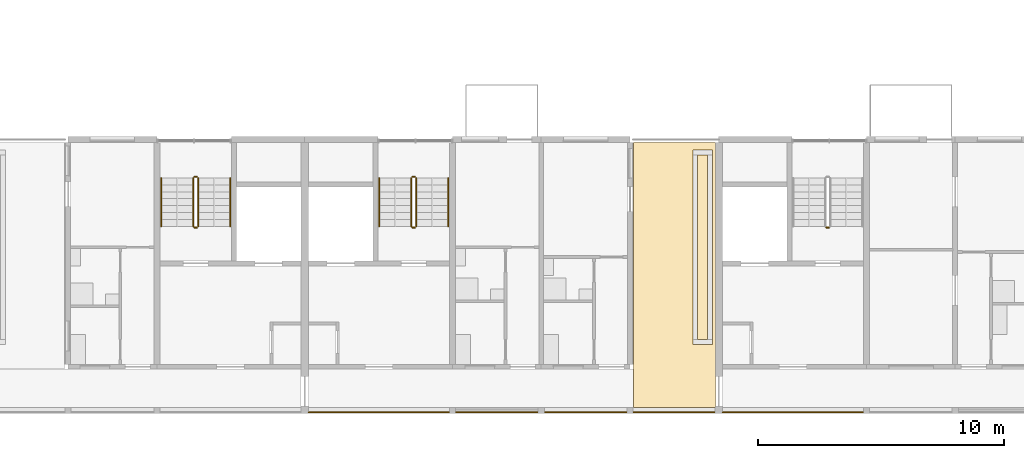
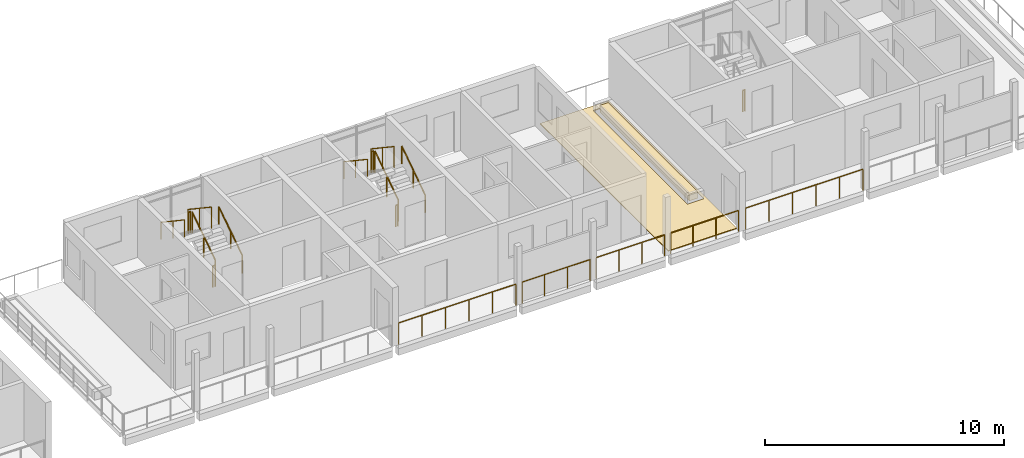
# One storey, part 51 of 55: 18 railings, 3 coverings.
"""IFC4 building model written with IfcOpenShell, lengths in metres."""

from ifc_helpers import new_model, si_unit, direction, frame, origin, origin_2d, place, context, subcontext, project, spatial, polyline, circle, outline, extrude, material, layer, layer_set, type_object, element, save


model = new_model("IFC4")

# Units and contexts
model_context = context("Model", 3, precision=1e-05, world=origin(), true_north=direction((0.0, 1.0)))
body_context = subcontext(model_context, "Body", "Model", "MODEL_VIEW")
ifc_project = project(units=[si_unit("LENGTHUNIT", "METRE"), si_unit("AREAUNIT", "SQUARE_METRE"), si_unit("VOLUMEUNIT", "CUBIC_METRE"), si_unit("PLANEANGLEUNIT", "RADIAN"), si_unit("MASSUNIT", "GRAM", prefix="KILO")], contexts=[model_context])

# Site, building, storey
site_placement = place(None, origin())
site = spatial("IfcSite", under=ifc_project, at=site_placement, CompositionType="ELEMENT")
building_placement = place(site_placement, origin())
building = spatial("IfcBuilding", under=site, at=building_placement, Name="Ridgestep Commons", CompositionType="ELEMENT")
storey_placement = place(building_placement, frame((0.0, 0.0, 36.0)))
storey = spatial("IfcBuildingStorey", under=building, at=storey_placement, Name="L12", CompositionType="ELEMENT", Elevation=36.0)

# Railings
ifc_material_1 = material(Name="Structural steel S355JR", Category="steel")
railing_type_1 = type_object("IfcRailingType", Name="Guard 1100", PredefinedType="GUARDRAIL", material=ifc_material_1)
railing_1_placement = place(storey_placement, frame((214.1708984375, 11.800048828125, 0.0)))
element("IfcRailing", 1, at=railing_1_placement, inside=storey, type_object=railing_type_1, Name="Gallery guard D 12.4", PredefinedType="GUARDRAIL", context=body_context, shape_type="SweptSolid", body=[
    extrude(circle(Radius=0.02392578125, at=origin_2d()), frame((0.0, 0.0, 1.076171875), z_axis=(1.0, 0.0, 0.0), x_axis=(0.0, 1.0, 0.0)), (0.0, 0.0, 1.0), 5.68310546875),
    extrude(circle(Radius=0.02099609375, at=origin_2d()), origin(), (0.0, 0.0, 1.0), 1.052001953125),
    extrude(circle(Radius=0.02099609375, at=origin_2d()), frame((1.13671875, 0.0, 0.0)), (0.0, 0.0, 1.0), 1.052001953125),
    extrude(circle(Radius=0.02099609375, at=origin_2d()), frame((2.273193359375, 0.0, 0.0)), (0.0, 0.0, 1.0), 1.052001953125),
    extrude(circle(Radius=0.02099609375, at=origin_2d()), frame((3.409912109375, 0.0, 0.0)), (0.0, 0.0, 1.0), 1.052001953125),
    extrude(circle(Radius=0.02099609375, at=origin_2d()), frame((4.54638671875, 0.0, 0.0)), (0.0, 0.0, 1.0), 1.052001953125),
    extrude(circle(Radius=0.02099609375, at=origin_2d()), frame((5.68310546875, 0.0, 0.0)), (0.0, 0.0, 1.0), 1.052001953125),
])
railing_2_placement = place(storey_placement, frame((220.14599609375, 11.800048828125, 0.0)))
element("IfcRailing", 2, at=railing_2_placement, inside=storey, type_object=railing_type_1, Name="Gallery guard D 12.5", PredefinedType="GUARDRAIL", context=body_context, shape_type="SweptSolid", body=[
    extrude(circle(Radius=0.02392578125, at=origin_2d()), frame((0.0, 0.0, 1.076171875), z_axis=(1.0, 0.0, 0.0), x_axis=(0.0, 1.0, 0.0)), (0.0, 0.0, 1.0), 3.30810546875),
    extrude(circle(Radius=0.02099609375, at=origin_2d()), origin(), (0.0, 0.0, 1.0), 1.052001953125),
    extrude(circle(Radius=0.02099609375, at=origin_2d()), frame((1.102783203125, 0.0, 0.0)), (0.0, 0.0, 1.0), 1.052001953125),
    extrude(circle(Radius=0.02099609375, at=origin_2d()), frame((2.205322265625, 0.0, 0.0)), (0.0, 0.0, 1.0), 1.052001953125),
    extrude(circle(Radius=0.02099609375, at=origin_2d()), frame((3.30810546875, 0.0, 0.0)), (0.0, 0.0, 1.0), 1.052001953125),
])
railing_3_placement = place(storey_placement, frame((223.74609375, 11.800048828125, 0.0)))
element("IfcRailing", 3, at=railing_3_placement, inside=storey, type_object=railing_type_1, Name="Gallery guard D 12.6", PredefinedType="GUARDRAIL", context=body_context, shape_type="SweptSolid", body=[
    extrude(circle(Radius=0.02392578125, at=origin_2d()), frame((0.0, 0.0, 1.076171875), z_axis=(1.0, 0.0, 0.0), x_axis=(0.0, 1.0, 0.0)), (0.0, 0.0, 1.0), 3.307861328125),
    extrude(circle(Radius=0.02099609375, at=origin_2d()), origin(), (0.0, 0.0, 1.0), 1.052001953125),
    extrude(circle(Radius=0.02099609375, at=origin_2d()), frame((1.1025390625, 0.0, 0.0)), (0.0, 0.0, 1.0), 1.052001953125),
    extrude(circle(Radius=0.02099609375, at=origin_2d()), frame((2.205322265625, 0.0, 0.0)), (0.0, 0.0, 1.0), 1.052001953125),
    extrude(circle(Radius=0.02099609375, at=origin_2d()), frame((3.307861328125, 0.0, 0.0)), (0.0, 0.0, 1.0), 1.052001953125),
])
railing_4_placement = place(storey_placement, frame((227.345947265625, 11.800048828125, 0.0)))
element("IfcRailing", 4, at=railing_4_placement, inside=storey, type_object=railing_type_1, Name="Gallery guard D 12.7", PredefinedType="GUARDRAIL", context=body_context, shape_type="SweptSolid", body=[
    extrude(circle(Radius=0.02392578125, at=origin_2d()), frame((0.0, 0.0, 1.076171875), z_axis=(1.0, 0.0, 0.0), x_axis=(0.0, 1.0, 0.0)), (0.0, 0.0, 1.0), 3.282958984375),
    extrude(circle(Radius=0.02099609375, at=origin_2d()), origin(), (0.0, 0.0, 1.0), 1.052001953125),
    extrude(circle(Radius=0.02099609375, at=origin_2d()), frame((1.09423828125, 0.0, 0.0)), (0.0, 0.0, 1.0), 1.052001953125),
    extrude(circle(Radius=0.02099609375, at=origin_2d()), frame((2.188720703125, 0.0, 0.0)), (0.0, 0.0, 1.0), 1.052001953125),
    extrude(circle(Radius=0.02099609375, at=origin_2d()), frame((3.282958984375, 0.0, 0.0)), (0.0, 0.0, 1.0), 1.052001953125),
])
railing_5_placement = place(storey_placement, frame((230.970947265625, 11.800048828125, 0.0)))
element("IfcRailing", 5, at=railing_5_placement, inside=storey, type_object=railing_type_1, Name="Gallery guard D 12.8", PredefinedType="GUARDRAIL", context=body_context, shape_type="SweptSolid", body=[
    extrude(circle(Radius=0.02392578125, at=origin_2d()), frame((0.0, 0.0, 1.076171875), z_axis=(1.0, 0.0, 0.0), x_axis=(0.0, 1.0, 0.0)), (0.0, 0.0, 1.0), 5.68310546875),
    extrude(circle(Radius=0.02099609375, at=origin_2d()), origin(), (0.0, 0.0, 1.0), 1.052001953125),
    extrude(circle(Radius=0.02099609375, at=origin_2d()), frame((1.13671875, 0.0, 0.0)), (0.0, 0.0, 1.0), 1.052001953125),
    extrude(circle(Radius=0.02099609375, at=origin_2d()), frame((2.273193359375, 0.0, 0.0)), (0.0, 0.0, 1.0), 1.052001953125),
    extrude(circle(Radius=0.02099609375, at=origin_2d()), frame((3.409912109375, 0.0, 0.0)), (0.0, 0.0, 1.0), 1.052001953125),
    extrude(circle(Radius=0.02099609375, at=origin_2d()), frame((4.54638671875, 0.0, 0.0)), (0.0, 0.0, 1.0), 1.052001953125),
    extrude(circle(Radius=0.02099609375, at=origin_2d()), frame((5.68310546875, 0.0, 0.0)), (0.0, 0.0, 1.0), 1.052001953125),
])

# Covering
ifc_material_2 = material(Name="Planting soil")
ifc_layer_1 = layer(ifc_material_2, 0.35009765625)
ifc_layer_set_1 = layer_set([ifc_layer_1], Name="Planting soil 350")
covering_type_1 = type_object("IfcCoveringType", Name="Planting soil 350", PredefinedType="FLOORING", material=ifc_layer_set_1)
covering_1_placement = place(storey_placement, frame((0.0, 0.0, 0.010009765625)))
element("IfcCovering", 6, at=covering_1_placement, inside=storey, type_object=covering_type_1, Name="Planting soil D5R1", PredefinedType="FLOORING", context=body_context, shape_type="SweptSolid", body=[
    extrude(outline(polyline([(229.949951171875, 14.75), (230.35009765625, 14.75), (230.35009765625, 22.25), (229.949951171875, 22.25), (229.949951171875, 14.75)])), origin(), (0.0, 0.0, 1.0), 0.35009765625),
])

# Railings
ifc_material_3 = material(Name="Structural steel S355JR", Category="steel")
railing_type_2 = type_object("IfcRailingType", Name="Stair guard 1100", PredefinedType="GUARDRAIL", material=ifc_material_3)
railing_6_placement = place(storey_placement, frame((209.675048828125, 19.35009765625, 0.1875)))
element("IfcRailing", 7, at=railing_6_placement, inside=storey, type_object=railing_type_2, Name="L12 D4C stair guard 1", PredefinedType="GUARDRAIL", context=body_context, shape_type="SweptSolid", body=[
    extrude(circle(Radius=0.02392578125, at=origin_2d()), frame((0.0, 0.0, 1.076171875), z_axis=(0.0, 0.830902050051, 0.556418712142), x_axis=(-1.0, 0.0, 0.0)), (0.0, 0.0, 1.0), 2.35888671875),
    extrude(circle(Radius=0.02099609375, at=origin_2d()), origin(), (0.0, 0.0, 1.0), 1.052001953125),
    extrude(circle(Radius=0.02099609375, at=origin_2d()), frame((0.0, 0.97998046875, 0.65625)), (0.0, 0.0, 1.0), 1.052001953125),
    extrude(circle(Radius=0.02099609375, at=origin_2d()), frame((0.0, 1.9599609375, 1.3125)), (0.0, 0.0, 1.0), 1.052001953125),
])
railing_7_placement = place(storey_placement, frame((209.625, 21.360107421875, 1.5)))
element("IfcRailing", 8, at=railing_7_placement, inside=storey, type_object=railing_type_2, Name="L12 D4C stair guard 2", PredefinedType="GUARDRAIL", context=body_context, shape_type="SweptSolid", body=[
    extrude(circle(Radius=0.02392578125, at=origin_2d()), frame((0.0, 0.0, 1.076171875), z_axis=(-1.0, 0.0, 0.0), x_axis=(0.0, -1.0, 0.0)), (0.0, 0.0, 1.0), 0.10009765625),
    extrude(circle(Radius=0.02099609375, at=origin_2d()), origin(), (0.0, 0.0, 1.0), 1.052001953125),
    extrude(circle(Radius=0.02099609375, at=origin_2d()), frame((-0.10009765625, 0.0, 0.0)), (0.0, 0.0, 1.0), 1.052001953125),
])
railing_8_placement = place(storey_placement, frame((209.47509765625, 21.31005859375, 1.6875)))
element("IfcRailing", 9, at=railing_8_placement, inside=storey, type_object=railing_type_2, Name="L12 D4C stair guard 3", PredefinedType="GUARDRAIL", context=body_context, shape_type="SweptSolid", body=[
    extrude(circle(Radius=0.02392578125, at=origin_2d()), frame((0.0, 0.0, 1.076171875), z_axis=(0.0, -0.830902050051, 0.556418712142), x_axis=(1.0, 0.0, 0.0)), (0.0, 0.0, 1.0), 2.35888671875),
    extrude(circle(Radius=0.02099609375, at=origin_2d()), origin(), (0.0, 0.0, 1.0), 1.052001953125),
    extrude(circle(Radius=0.02099609375, at=origin_2d()), frame((0.0, -0.97998046875, 0.65625)), (0.0, 0.0, 1.0), 1.052001953125),
    extrude(circle(Radius=0.02099609375, at=origin_2d()), frame((0.0, -1.9599609375, 1.3125)), (0.0, 0.0, 1.0), 1.052001953125),
])
railing_9_placement = place(storey_placement, frame((209.625, 19.300048828125, 0.0)))
element("IfcRailing", 10, at=railing_9_placement, inside=storey, type_object=railing_type_2, Name="L12 D4C stair guard 4", PredefinedType="GUARDRAIL", context=body_context, shape_type="SweptSolid", body=[
    extrude(circle(Radius=0.02392578125, at=origin_2d()), frame((0.0, 0.0, 1.076171875), z_axis=(-1.0, 0.0, 0.0), x_axis=(0.0, -1.0, 0.0)), (0.0, 0.0, 1.0), 0.10009765625),
    extrude(circle(Radius=0.02099609375, at=origin_2d()), origin(), (0.0, 0.0, 1.0), 1.052001953125),
    extrude(circle(Radius=0.02099609375, at=origin_2d()), frame((-0.10009765625, 0.0, 0.0)), (0.0, 0.0, 1.0), 1.052001953125),
])
railing_10_placement = place(storey_placement, frame((218.52490234375, 19.35009765625, 0.1875)))
element("IfcRailing", 11, at=railing_10_placement, inside=storey, type_object=railing_type_2, Name="L12 D5C stair guard 1", PredefinedType="GUARDRAIL", context=body_context, shape_type="SweptSolid", body=[
    extrude(circle(Radius=0.02392578125, at=origin_2d()), frame((0.0, 0.0, 1.076171875), z_axis=(0.0, 0.830902050051, 0.556418712142), x_axis=(-1.0, 0.0, 0.0)), (0.0, 0.0, 1.0), 2.35888671875),
    extrude(circle(Radius=0.02099609375, at=origin_2d()), origin(), (0.0, 0.0, 1.0), 1.052001953125),
    extrude(circle(Radius=0.02099609375, at=origin_2d()), frame((0.0, 0.97998046875, 0.65625)), (0.0, 0.0, 1.0), 1.052001953125),
    extrude(circle(Radius=0.02099609375, at=origin_2d()), frame((0.0, 1.9599609375, 1.3125)), (0.0, 0.0, 1.0), 1.052001953125),
])
railing_11_placement = place(storey_placement, frame((218.47509765625, 21.360107421875, 1.5)))
element("IfcRailing", 12, at=railing_11_placement, inside=storey, type_object=railing_type_2, Name="L12 D5C stair guard 2", PredefinedType="GUARDRAIL", context=body_context, shape_type="SweptSolid", body=[
    extrude(circle(Radius=0.02392578125, at=origin_2d()), frame((0.0, 0.0, 1.076171875), z_axis=(-1.0, 0.0, 0.0), x_axis=(0.0, -1.0, 0.0)), (0.0, 0.0, 1.0), 0.10009765625),
    extrude(circle(Radius=0.02099609375, at=origin_2d()), origin(), (0.0, 0.0, 1.0), 1.052001953125),
    extrude(circle(Radius=0.02099609375, at=origin_2d()), frame((-0.10009765625, 0.0, 0.0)), (0.0, 0.0, 1.0), 1.052001953125),
])
railing_12_placement = place(storey_placement, frame((218.324951171875, 21.31005859375, 1.6875)))
element("IfcRailing", 13, at=railing_12_placement, inside=storey, type_object=railing_type_2, Name="L12 D5C stair guard 3", PredefinedType="GUARDRAIL", context=body_context, shape_type="SweptSolid", body=[
    extrude(circle(Radius=0.02392578125, at=origin_2d()), frame((0.0, 0.0, 1.076171875), z_axis=(0.0, -0.830902050051, 0.556418712142), x_axis=(1.0, 0.0, 0.0)), (0.0, 0.0, 1.0), 2.35888671875),
    extrude(circle(Radius=0.02099609375, at=origin_2d()), origin(), (0.0, 0.0, 1.0), 1.052001953125),
    extrude(circle(Radius=0.02099609375, at=origin_2d()), frame((0.0, -0.97998046875, 0.65625)), (0.0, 0.0, 1.0), 1.052001953125),
    extrude(circle(Radius=0.02099609375, at=origin_2d()), frame((0.0, -1.9599609375, 1.3125)), (0.0, 0.0, 1.0), 1.052001953125),
])
railing_13_placement = place(storey_placement, frame((218.47509765625, 19.300048828125, 0.0)))
element("IfcRailing", 14, at=railing_13_placement, inside=storey, type_object=railing_type_2, Name="L12 D5C stair guard 4", PredefinedType="GUARDRAIL", context=body_context, shape_type="SweptSolid", body=[
    extrude(circle(Radius=0.02392578125, at=origin_2d()), frame((0.0, 0.0, 1.076171875), z_axis=(-1.0, 0.0, 0.0), x_axis=(0.0, -1.0, 0.0)), (0.0, 0.0, 1.0), 0.10009765625),
    extrude(circle(Radius=0.02099609375, at=origin_2d()), origin(), (0.0, 0.0, 1.0), 1.052001953125),
    extrude(circle(Radius=0.02099609375, at=origin_2d()), frame((-0.10009765625, 0.0, 0.0)), (0.0, 0.0, 1.0), 1.052001953125),
])
railing_14_placement = place(storey_placement, frame((235.27490234375, 19.300048828125, 0.0)))
element("IfcRailing", 15, at=railing_14_placement, inside=storey, type_object=railing_type_2, Name="L12 D6C stair guard 4", PredefinedType="GUARDRAIL", context=body_context, shape_type="SweptSolid", body=[
    extrude(circle(Radius=0.02392578125, at=origin_2d()), frame((0.0, 0.0, 1.076171875), z_axis=(-1.0, 0.0, 0.0), x_axis=(0.0, -1.0, 0.0)), (0.0, 0.0, 1.0), 0.099853515625),
    extrude(circle(Radius=0.02099609375, at=origin_2d()), origin(), (0.0, 0.0, 1.0), 1.052001953125),
    extrude(circle(Radius=0.02099609375, at=origin_2d()), frame((-0.099853515625, 0.0, 0.0)), (0.0, 0.0, 1.0), 1.052001953125),
])
ifc_material_4 = material(Name="Structural steel S355JR", Category="steel")
railing_type_3 = type_object("IfcRailingType", Name="Stair handrail 900", PredefinedType="HANDRAIL", material=ifc_material_4)
railing_15_placement = place(storey_placement, frame((210.97509765625, 19.35009765625, 0.1875)))
element("IfcRailing", 16, at=railing_15_placement, inside=storey, type_object=railing_type_3, Name="L12 D4C stair handrail 1", PredefinedType="HANDRAIL", context=body_context, shape_type="SweptSolid", body=[
    extrude(circle(Radius=0.02392578125, at=origin_2d()), frame((0.0, 0.0, 0.8759765625), z_axis=(0.0, 0.830902050051, 0.556418712142), x_axis=(-1.0, 0.0, 0.0)), (0.0, 0.0, 1.0), 2.35888671875),
    extrude(circle(Radius=0.02099609375, at=origin_2d()), origin(), (0.0, 0.0, 1.0), 0.851806640625),
    extrude(circle(Radius=0.02099609375, at=origin_2d()), frame((0.0, 0.97998046875, 0.65625)), (0.0, 0.0, 1.0), 0.851806640625),
    extrude(circle(Radius=0.02099609375, at=origin_2d()), frame((0.0, 1.9599609375, 1.3125)), (0.0, 0.0, 1.0), 0.851806640625),
])
railing_16_placement = place(storey_placement, frame((208.175048828125, 21.31005859375, 1.6875)))
element("IfcRailing", 17, at=railing_16_placement, inside=storey, type_object=railing_type_3, Name="L12 D4C stair handrail 2", PredefinedType="HANDRAIL", context=body_context, shape_type="SweptSolid", body=[
    extrude(circle(Radius=0.02392578125, at=origin_2d()), frame((0.0, 0.0, 0.8759765625), z_axis=(0.0, -0.830902050051, 0.556418712142), x_axis=(1.0, 0.0, 0.0)), (0.0, 0.0, 1.0), 2.35888671875),
    extrude(circle(Radius=0.02099609375, at=origin_2d()), origin(), (0.0, 0.0, 1.0), 0.851806640625),
    extrude(circle(Radius=0.02099609375, at=origin_2d()), frame((0.0, -0.97998046875, 0.65625)), (0.0, 0.0, 1.0), 0.851806640625),
    extrude(circle(Radius=0.02099609375, at=origin_2d()), frame((0.0, -1.9599609375, 1.3125)), (0.0, 0.0, 1.0), 0.851806640625),
])
railing_17_placement = place(storey_placement, frame((219.824951171875, 19.35009765625, 0.1875)))
element("IfcRailing", 18, at=railing_17_placement, inside=storey, type_object=railing_type_3, Name="L12 D5C stair handrail 1", PredefinedType="HANDRAIL", context=body_context, shape_type="SweptSolid", body=[
    extrude(circle(Radius=0.02392578125, at=origin_2d()), frame((0.0, 0.0, 0.8759765625), z_axis=(0.0, 0.830902050051, 0.556418712142), x_axis=(-1.0, 0.0, 0.0)), (0.0, 0.0, 1.0), 2.35888671875),
    extrude(circle(Radius=0.02099609375, at=origin_2d()), origin(), (0.0, 0.0, 1.0), 0.851806640625),
    extrude(circle(Radius=0.02099609375, at=origin_2d()), frame((0.0, 0.97998046875, 0.65625)), (0.0, 0.0, 1.0), 0.851806640625),
    extrude(circle(Radius=0.02099609375, at=origin_2d()), frame((0.0, 1.9599609375, 1.3125)), (0.0, 0.0, 1.0), 0.851806640625),
])
railing_18_placement = place(storey_placement, frame((217.02490234375, 21.31005859375, 1.6875)))
element("IfcRailing", 19, at=railing_18_placement, inside=storey, type_object=railing_type_3, Name="L12 D5C stair handrail 2", PredefinedType="HANDRAIL", context=body_context, shape_type="SweptSolid", body=[
    extrude(circle(Radius=0.02392578125, at=origin_2d()), frame((0.0, 0.0, 0.8759765625), z_axis=(0.0, -0.830902050051, 0.556418712142), x_axis=(1.0, 0.0, 0.0)), (0.0, 0.0, 1.0), 2.35888671875),
    extrude(circle(Radius=0.02099609375, at=origin_2d()), origin(), (0.0, 0.0, 1.0), 0.851806640625),
    extrude(circle(Radius=0.02099609375, at=origin_2d()), frame((0.0, -0.97998046875, 0.65625)), (0.0, 0.0, 1.0), 0.851806640625),
    extrude(circle(Radius=0.02099609375, at=origin_2d()), frame((0.0, -1.9599609375, 1.3125)), (0.0, 0.0, 1.0), 0.851806640625),
])

# Coverings
ifc_material_5 = material(Name="Bitumen membrane, two layer")
ifc_layer_2 = layer(ifc_material_5, 0.010009765625)
ifc_layer_set_2 = layer_set([ifc_layer_2], Name="Terrace membrane 10")
covering_type_2 = type_object("IfcCoveringType", Name="Terrace membrane 10", PredefinedType="ROOFING", material=ifc_layer_set_2)
covering_2_placement = place(storey_placement, origin())
element("IfcCovering", 20, at=covering_2_placement, inside=storey, type_object=covering_type_2, Name="Terrace membrane D5R1", PredefinedType="ROOFING", context=body_context, shape_type="SweptSolid", body=[
    extrude(outline(polyline([(230.675048828125, 12.0), (230.675048828125, 22.75), (227.35009765625, 22.75), (227.35009765625, 12.0), (230.675048828125, 12.0)]), holes=[polyline([(230.550048828125, 14.550048828125), (230.550048828125, 22.449951171875), (229.75, 22.449951171875), (229.75, 14.550048828125), (230.550048828125, 14.550048828125)])]), origin(), (0.0, 0.0, 1.0), 0.010009765625),
])
ifc_material_6 = material(Name="Concrete paving slab", Category="concrete")
ifc_layer_3 = layer(ifc_material_6, 0.030029296875)
ifc_layer_set_3 = layer_set([ifc_layer_3], Name="Terrace paving 30")
covering_type_3 = type_object("IfcCoveringType", Name="Terrace paving 30", PredefinedType="FLOORING", material=ifc_layer_set_3)
covering_3_placement = place(storey_placement, frame((0.0, 0.0, 0.010009765625)))
element("IfcCovering", 21, at=covering_3_placement, inside=storey, type_object=covering_type_3, Name="Terrace paving D5R1", PredefinedType="FLOORING", context=body_context, shape_type="SweptSolid", body=[
    extrude(outline(polyline([(230.675048828125, 12.0), (230.675048828125, 22.75), (227.35009765625, 22.75), (227.35009765625, 12.0), (230.675048828125, 12.0)]), holes=[polyline([(230.550048828125, 14.550048828125), (230.550048828125, 22.449951171875), (229.75, 22.449951171875), (229.75, 14.550048828125), (230.550048828125, 14.550048828125)])]), origin(), (0.0, 0.0, 1.0), 0.030029296875),
])

save(model, "model.ifc")
